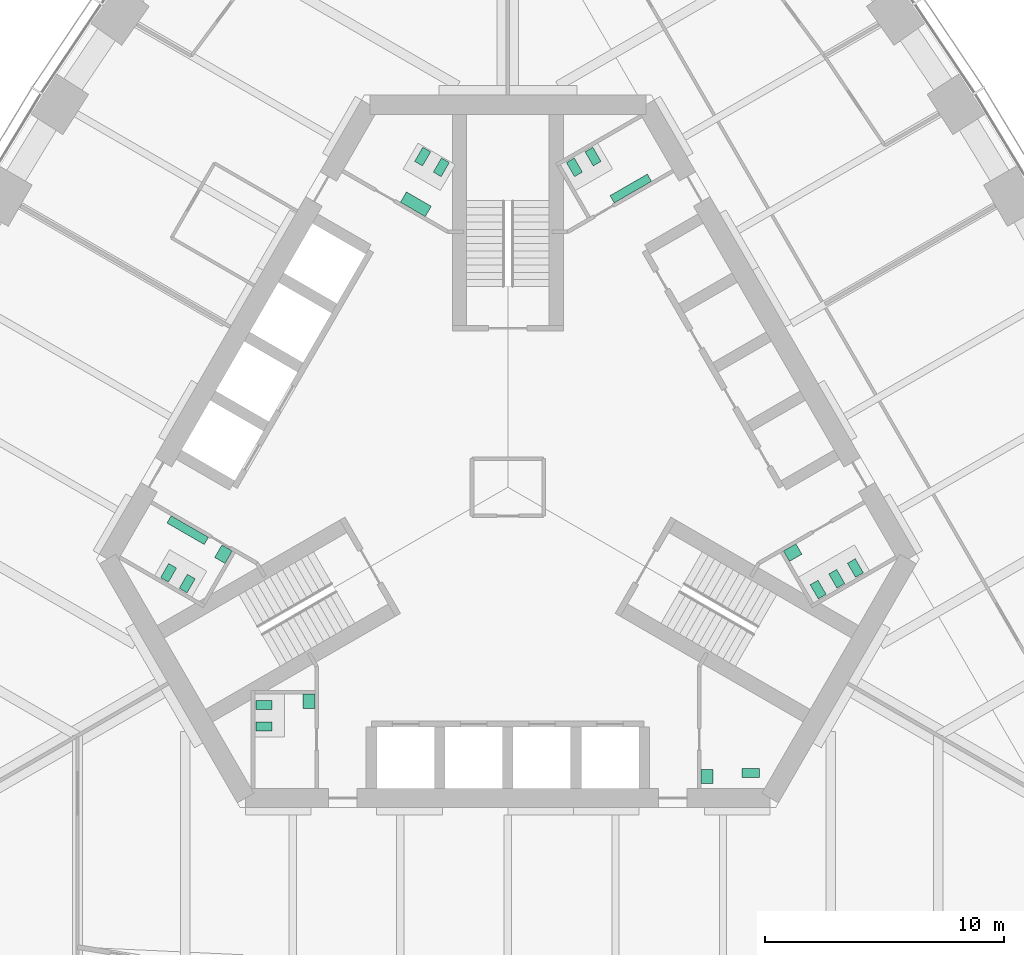
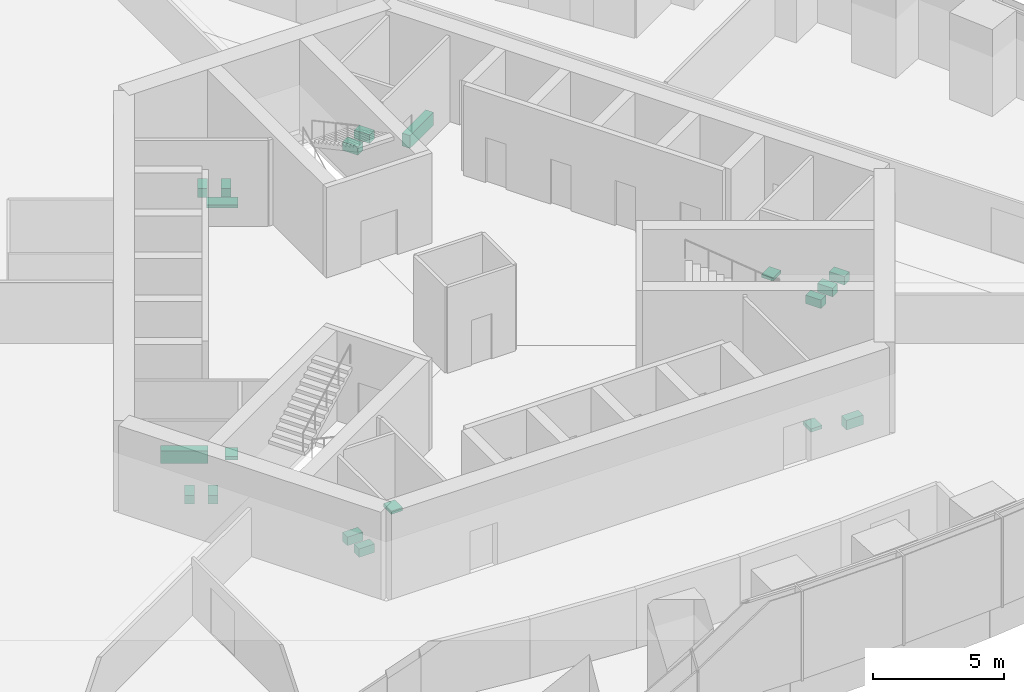
# One storey, part 17 of 18: 19 sanitary terminals.
"""IFC4 building model written with IfcOpenShell, lengths in metres."""

from ifc_helpers import new_model, si_unit, direction, frame, origin, place, context, subcontext, project, spatial, polyline, outline, extrude, material, type_object, element, save


model = new_model("IFC4")

# Units and contexts
model_context = context("Model", 3, precision=1e-05, world=origin(), true_north=direction((0.0, 1.0)))
body_context = subcontext(model_context, "Body", "Model", "MODEL_VIEW")
ifc_project = project(units=[si_unit("LENGTHUNIT", "METRE"), si_unit("AREAUNIT", "SQUARE_METRE"), si_unit("VOLUMEUNIT", "CUBIC_METRE"), si_unit("PLANEANGLEUNIT", "RADIAN"), si_unit("MASSUNIT", "GRAM", prefix="KILO")], contexts=[model_context])

# Site, building, storey
site_placement = place(None, origin())
site = spatial("IfcSite", under=ifc_project, at=site_placement, CompositionType="ELEMENT")
building_placement = place(site_placement, origin())
building = spatial("IfcBuilding", under=site, at=building_placement, Name="Trefoil Bronze Tower", CompositionType="ELEMENT")
storey_placement = place(building_placement, frame((0.0, 0.0, 198.10009765625)))
storey = spatial("IfcBuildingStorey", under=building, at=storey_placement, Name="L45", CompositionType="ELEMENT", Elevation=198.10009765625)

# Sanitary terminals
ifc_material_1 = material(Name="Vitreous china", Category="ceramic")
sanitary_terminal_type_1 = type_object("IfcSanitaryTerminalType", Name="Accessible WC pan", PredefinedType="TOILETPAN", material=ifc_material_1)
sanitary_terminal_1_placement = place(storey_placement, origin())
element("IfcSanitaryTerminal", 1, at=sanitary_terminal_1_placement, inside=storey, type_object=sanitary_terminal_type_1, Name="WC pan 1 Accessible WC L45", PredefinedType="TOILETPAN", context=body_context, shape_type="SweptSolid", body=[
    extrude(outline(polyline([(9.784912109375, -11.77001953125), (10.534912109375, -11.77001953125), (10.534912109375, -12.14990234375), (9.784912109375, -12.14990234375), (9.784912109375, -11.77001953125)])), origin(), (0.0, 0.0, 1.0), 0.449951171875),
])
ifc_material_2 = material(Name="Vitreous china", Category="ceramic")
sanitary_terminal_type_2 = type_object("IfcSanitaryTerminalType", Name="Accessible basin", PredefinedType="WASHHANDBASIN", material=ifc_material_2)
sanitary_terminal_2_placement = place(storey_placement, frame((0.0, 0.0, 0.64990234375)))
element("IfcSanitaryTerminal", 2, at=sanitary_terminal_2_placement, inside=storey, type_object=sanitary_terminal_type_2, Name="Wash basin Accessible WC L45", PredefinedType="WASHHANDBASIN", context=body_context, shape_type="SweptSolid", body=[
    extrude(outline(polyline([(8.074951171875, -11.800048828125), (8.574951171875, -11.800048828125), (8.574951171875, -12.39990234375), (8.074951171875, -12.39990234375), (8.074951171875, -11.800048828125)])), origin(), (0.0, 0.0, 1.0), 0.14990234375),
])
ifc_material_3 = material(Name="Vitreous china", Category="ceramic")
sanitary_terminal_type_3 = type_object("IfcSanitaryTerminalType", Name="Urinal range 3 urinals", PredefinedType="URINAL", material=ifc_material_3)
sanitary_terminal_3_placement = place(storey_placement, frame((0.0, 0.0, 0.39990234375)))
element("IfcSanitaryTerminal", 3, at=sanitary_terminal_3_placement, inside=storey, type_object=sanitary_terminal_type_3, Name="Urinal range WC (men) L45", PredefinedType="URINAL", context=body_context, shape_type="SweptSolid", body=[
    extrude(outline(polyline([(4.449462890625, 11.89306640625), (4.274658203125, 12.1962890625), (5.83349609375, 13.09619140625), (6.00830078125, 12.793212890625), (4.449462890625, 11.89306640625)])), origin(), (0.0, 0.0, 1.0), 0.60009765625),
])
sanitary_terminal_4_placement = place(storey_placement, frame((0.0, 0.0, 0.39990234375)))
element("IfcSanitaryTerminal", 4, at=sanitary_terminal_4_placement, inside=storey, type_object=sanitary_terminal_type_3, Name="Urinal range WC (men) L45", PredefinedType="URINAL", context=body_context, shape_type="SweptSolid", body=[
    extrude(outline(polyline([(-12.524658203125, -2.09326171875), (-12.699462890625, -2.396240234375), (-14.25830078125, -1.496337890625), (-14.08349609375, -1.193115234375), (-12.524658203125, -2.09326171875)])), origin(), (0.0, 0.0, 1.0), 0.60009765625),
])
ifc_material_4 = material(Name="Solid surface vanity", Category="plastic")
sanitary_terminal_type_4 = type_object("IfcSanitaryTerminalType", Name="Vanity unit 1 basins", PredefinedType="WASHHANDBASIN", material=ifc_material_4)
sanitary_terminal_5_placement = place(storey_placement, frame((0.0, 0.0, 0.75)))
element("IfcSanitaryTerminal", 5, at=sanitary_terminal_5_placement, inside=storey, type_object=sanitary_terminal_type_4, Name="Vanity unit WC (women) L45", PredefinedType="WASHHANDBASIN", context=body_context, shape_type="SweptSolid", body=[
    extrude(outline(polyline([(11.528564453125, -2.668212890625), (11.778564453125, -3.10107421875), (12.29833984375, -2.80126953125), (12.04833984375, -2.3681640625), (11.528564453125, -2.668212890625)])), origin(), (0.0, 0.0, 1.0), 0.14990234375),
])
sanitary_terminal_6_placement = place(storey_placement, frame((0.0, 0.0, 0.75)))
element("IfcSanitaryTerminal", 6, at=sanitary_terminal_6_placement, inside=storey, type_object=sanitary_terminal_type_4, Name="Vanity unit WC (men) L45", PredefinedType="WASHHANDBASIN", context=body_context, shape_type="SweptSolid", body=[
    extrude(outline(polyline([(-11.528564453125, -2.668212890625), (-11.82861328125, -3.187744140625), (-12.26171875, -2.937744140625), (-11.961669921875, -2.418212890625), (-11.528564453125, -2.668212890625)])), origin(), (0.0, 0.0, 1.0), 0.14990234375),
])
sanitary_terminal_7_placement = place(storey_placement, frame((0.0, 0.0, 0.75)))
element("IfcSanitaryTerminal", 7, at=sanitary_terminal_7_placement, inside=storey, type_object=sanitary_terminal_type_4, Name="Vanity unit WC (women) L45", PredefinedType="WASHHANDBASIN", context=body_context, shape_type="SweptSolid", body=[
    extrude(outline(polyline([(-8.074951171875, -8.64990234375), (-8.574951171875, -8.64990234375), (-8.574951171875, -9.25), (-8.074951171875, -9.25), (-8.074951171875, -8.64990234375)])), origin(), (0.0, 0.0, 1.0), 0.14990234375),
])
ifc_material_5 = material(Name="Solid surface vanity", Category="plastic")
sanitary_terminal_type_5 = type_object("IfcSanitaryTerminalType", Name="Vanity unit 2 basins", PredefinedType="WASHHANDBASIN", material=ifc_material_5)
sanitary_terminal_8_placement = place(storey_placement, frame((0.0, 0.0, 0.75)))
element("IfcSanitaryTerminal", 8, at=sanitary_terminal_8_placement, inside=storey, type_object=sanitary_terminal_type_5, Name="Vanity unit WC (women) L45", PredefinedType="WASHHANDBASIN", context=body_context, shape_type="SweptSolid", body=[
    extrude(outline(polyline([(-3.45361328125, 11.318115234375), (-3.20361328125, 11.751220703125), (-4.242919921875, 12.35107421875), (-4.492919921875, 11.918212890625), (-3.45361328125, 11.318115234375)])), origin(), (0.0, 0.0, 1.0), 0.14990234375),
])
ifc_material_6 = material(Name="Vitreous china", Category="ceramic")
sanitary_terminal_type_6 = type_object("IfcSanitaryTerminalType", Name="WC pan", PredefinedType="TOILETPAN", material=ifc_material_6)
sanitary_terminal_9_placement = place(storey_placement, origin())
element("IfcSanitaryTerminal", 9, at=sanitary_terminal_9_placement, inside=storey, type_object=sanitary_terminal_type_6, Name="WC pan 1 WC (women) L45", PredefinedType="TOILETPAN", context=body_context, shape_type="SweptSolid", body=[
    extrude(outline(polyline([(12.643798828125, -4.07958984375), (12.98388671875, -4.66845703125), (13.31298828125, -4.478515625), (12.972900390625, -3.8896484375), (12.643798828125, -4.07958984375)])), origin(), (0.0, 0.0, 1.0), 0.39990234375),
])
sanitary_terminal_10_placement = place(storey_placement, origin())
element("IfcSanitaryTerminal", 10, at=sanitary_terminal_10_placement, inside=storey, type_object=sanitary_terminal_type_6, Name="WC pan 2 WC (women) L45", PredefinedType="TOILETPAN", context=body_context, shape_type="SweptSolid", body=[
    extrude(outline(polyline([(13.423095703125, -3.629638671875), (13.76318359375, -4.218505859375), (14.09228515625, -4.028564453125), (13.752197265625, -3.439697265625), (13.423095703125, -3.629638671875)])), origin(), (0.0, 0.0, 1.0), 0.39990234375),
])
sanitary_terminal_11_placement = place(storey_placement, origin())
element("IfcSanitaryTerminal", 11, at=sanitary_terminal_11_placement, inside=storey, type_object=sanitary_terminal_type_6, Name="WC pan 3 WC (women) L45", PredefinedType="TOILETPAN", context=body_context, shape_type="SweptSolid", body=[
    extrude(outline(polyline([(14.20263671875, -3.1796875), (14.542724609375, -3.7685546875), (14.871826171875, -3.57861328125), (14.53173828125, -2.98974609375), (14.20263671875, -3.1796875)])), origin(), (0.0, 0.0, 1.0), 0.39990234375),
])
sanitary_terminal_12_placement = place(storey_placement, origin())
element("IfcSanitaryTerminal", 12, at=sanitary_terminal_12_placement, inside=storey, type_object=sanitary_terminal_type_6, Name="WC pan 1 WC (men) L45", PredefinedType="TOILETPAN", context=body_context, shape_type="SweptSolid", body=[
    extrude(outline(polyline([(2.788818359375, 12.98974609375), (2.44873046875, 13.57861328125), (2.77783203125, 13.7685546875), (3.117919921875, 13.1796875), (2.788818359375, 12.98974609375)])), origin(), (0.0, 0.0, 1.0), 0.39990234375),
])
sanitary_terminal_13_placement = place(storey_placement, origin())
element("IfcSanitaryTerminal", 13, at=sanitary_terminal_13_placement, inside=storey, type_object=sanitary_terminal_type_6, Name="WC pan 2 WC (men) L45", PredefinedType="TOILETPAN", context=body_context, shape_type="SweptSolid", body=[
    extrude(outline(polyline([(3.568115234375, 13.439697265625), (3.228271484375, 14.028564453125), (3.557373046875, 14.218505859375), (3.897216796875, 13.629638671875), (3.568115234375, 13.439697265625)])), origin(), (0.0, 0.0, 1.0), 0.39990234375),
])
sanitary_terminal_14_placement = place(storey_placement, origin())
element("IfcSanitaryTerminal", 14, at=sanitary_terminal_14_placement, inside=storey, type_object=sanitary_terminal_type_6, Name="WC pan 1 WC (women) L45", PredefinedType="TOILETPAN", context=body_context, shape_type="SweptSolid", body=[
    extrude(outline(polyline([(-2.788818359375, 12.98974609375), (-2.44873046875, 13.57861328125), (-2.77783203125, 13.7685546875), (-3.117919921875, 13.1796875), (-2.788818359375, 12.98974609375)])), origin(), (0.0, 0.0, 1.0), 0.39990234375),
])
sanitary_terminal_15_placement = place(storey_placement, origin())
element("IfcSanitaryTerminal", 15, at=sanitary_terminal_15_placement, inside=storey, type_object=sanitary_terminal_type_6, Name="WC pan 2 WC (women) L45", PredefinedType="TOILETPAN", context=body_context, shape_type="SweptSolid", body=[
    extrude(outline(polyline([(-3.568115234375, 13.439697265625), (-3.228271484375, 14.028564453125), (-3.557373046875, 14.218505859375), (-3.897216796875, 13.629638671875), (-3.568115234375, 13.439697265625)])), origin(), (0.0, 0.0, 1.0), 0.39990234375),
])
sanitary_terminal_16_placement = place(storey_placement, origin())
element("IfcSanitaryTerminal", 16, at=sanitary_terminal_16_placement, inside=storey, type_object=sanitary_terminal_type_6, Name="WC pan 1 WC (men) L45", PredefinedType="TOILETPAN", context=body_context, shape_type="SweptSolid", body=[
    extrude(outline(polyline([(-13.076904296875, -3.82958984375), (-13.416748046875, -4.41845703125), (-13.745849609375, -4.228515625), (-13.406005859375, -3.6396484375), (-13.076904296875, -3.82958984375)])), origin(), (0.0, 0.0, 1.0), 0.39990234375),
])
sanitary_terminal_17_placement = place(storey_placement, origin())
element("IfcSanitaryTerminal", 17, at=sanitary_terminal_17_placement, inside=storey, type_object=sanitary_terminal_type_6, Name="WC pan 2 WC (men) L45", PredefinedType="TOILETPAN", context=body_context, shape_type="SweptSolid", body=[
    extrude(outline(polyline([(-13.856201171875, -3.379638671875), (-14.1962890625, -3.968505859375), (-14.525390625, -3.778564453125), (-14.185302734375, -3.189697265625), (-13.856201171875, -3.379638671875)])), origin(), (0.0, 0.0, 1.0), 0.39990234375),
])
sanitary_terminal_18_placement = place(storey_placement, origin())
element("IfcSanitaryTerminal", 18, at=sanitary_terminal_18_placement, inside=storey, type_object=sanitary_terminal_type_6, Name="WC pan 1 WC (women) L45", PredefinedType="TOILETPAN", context=body_context, shape_type="SweptSolid", body=[
    extrude(outline(polyline([(-9.85498046875, -8.909912109375), (-10.534912109375, -8.909912109375), (-10.534912109375, -9.2900390625), (-9.85498046875, -9.2900390625), (-9.85498046875, -8.909912109375)])), origin(), (0.0, 0.0, 1.0), 0.39990234375),
])
sanitary_terminal_19_placement = place(storey_placement, origin())
element("IfcSanitaryTerminal", 19, at=sanitary_terminal_19_placement, inside=storey, type_object=sanitary_terminal_type_6, Name="WC pan 2 WC (women) L45", PredefinedType="TOILETPAN", context=body_context, shape_type="SweptSolid", body=[
    extrude(outline(polyline([(-9.85498046875, -9.81005859375), (-10.534912109375, -9.81005859375), (-10.534912109375, -10.18994140625), (-9.85498046875, -10.18994140625), (-9.85498046875, -9.81005859375)])), origin(), (0.0, 0.0, 1.0), 0.39990234375),
])

save(model, "model.ifc")
